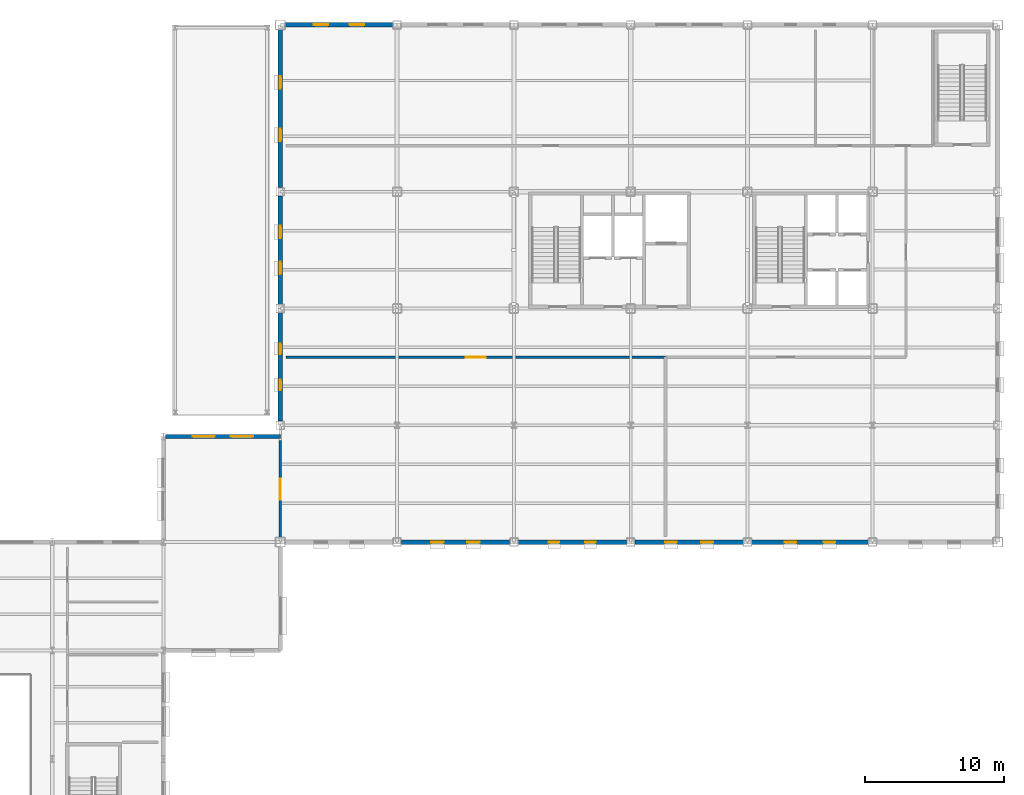
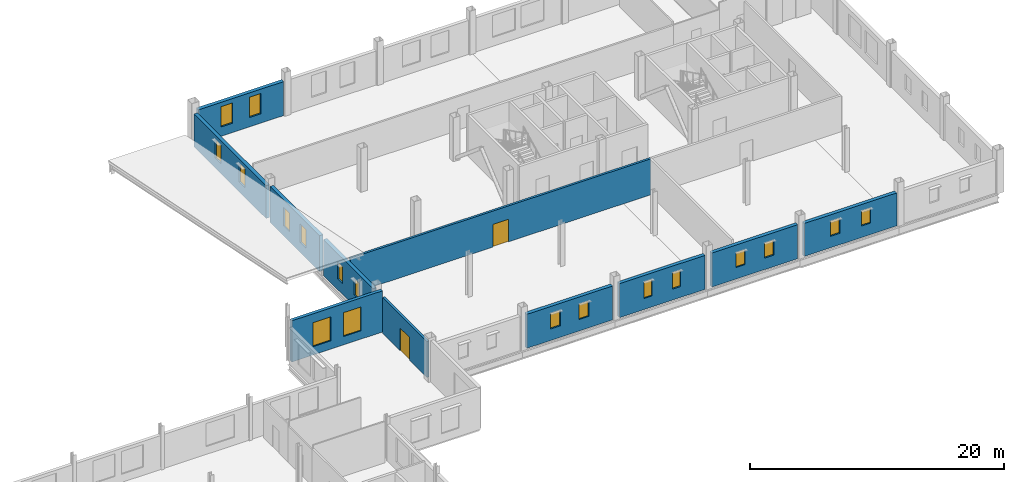
# One storey, part 64 of 75: 18 windows, 11 walls, 2 doors, 20 openings.
"""IFC4 building model written with IfcOpenShell, lengths in metres."""

from ifc_helpers import new_model, si_unit, direction, frame, frame_2d, origin, place, context, subcontext, project, spatial, rectangle, extrude, material, layer, layer_set, type_object, element, fill, save


model = new_model("IFC4")

# Units and contexts
model_context = context("Model", 3, precision=1e-05, world=origin(), true_north=direction((0.0, 1.0)))
body_context = subcontext(model_context, "Body", "Model", "MODEL_VIEW")
ifc_project = project(units=[si_unit("LENGTHUNIT", "METRE"), si_unit("AREAUNIT", "SQUARE_METRE"), si_unit("VOLUMEUNIT", "CUBIC_METRE"), si_unit("PLANEANGLEUNIT", "RADIAN"), si_unit("MASSUNIT", "GRAM", prefix="KILO")], contexts=[model_context])

# Site, building, storey
site_placement = place(None, origin())
site = spatial("IfcSite", under=ifc_project, at=site_placement, CompositionType="ELEMENT")
building_placement = place(site_placement, origin())
building = spatial("IfcBuilding", under=site, at=building_placement, Name="Yukiwa Park Conservatory and Herbarium", CompositionType="ELEMENT")
storey_placement = place(building_placement, frame((0.0, 0.0, 4.800048828125)))
storey = spatial("IfcBuildingStorey", under=building, at=storey_placement, Name="L01", CompositionType="ELEMENT", Elevation=4.800048828125)

# Wall, openings, windows
ifc_material_1 = material(Name="Pale Granite Cladding", Category="masonry")
ifc_layer_1 = layer(ifc_material_1, 0.320068359375)
ifc_layer_set_1 = layer_set([ifc_layer_1], Name="Pale Granite Cladding")
wall_type_1 = type_object("IfcWallType", Name="WL-EXT-GRAN-320", PredefinedType="SOLIDWALL", material=ifc_layer_set_1)
wall_1_placement = place(storey_placement, frame((125.10009765625, 78.0, 0.0), z_axis=(0.0, 0.0, 1.0), x_axis=(1.0, 0.0, 0.0)))
wall_1 = element("IfcWall", 1, at=wall_1_placement, inside=storey, type_object=wall_type_1, Name="L01 exterior envelope wall 160", PredefinedType="SOLIDWALL", context=body_context, shape_type="SweptSolid", body=[
    extrude(rectangle(XDim=7.7998046875, YDim=0.320068359375, at=frame_2d((3.89990234375, 0.0))), origin(), (0.0, 0.0, 1.0), 3.262939453125),
])
opening_1_placement = place(wall_1_placement, frame((2.14990234375, 0.0, 1.10009765625)))
opening_1 = element("IfcOpeningElement", 2, at=opening_1_placement, cuts=wall_1, Name="Opening W-11", PredefinedType="OPENING", context=body_context, shape_type="SweptSolid", body=[
    extrude(rectangle(XDim=0.89990234375, YDim=1.5, at=frame_2d((0.449951171875, 0.75))), frame((0.0, 0.169921875, 0.0), z_axis=(0.0, -1.0, 0.0), x_axis=(1.0, 0.0, 0.0)), (0.0, 0.0, 1.0), 0.340087890625),
])
opening_2_placement = place(wall_1_placement, frame((4.75, 0.0, 1.10009765625)))
opening_2 = element("IfcOpeningElement", 3, at=opening_2_placement, cuts=wall_1, Name="Opening W-11", PredefinedType="OPENING", context=body_context, shape_type="SweptSolid", body=[
    extrude(rectangle(XDim=0.89990234375, YDim=1.5, at=frame_2d((0.449951171875, 0.75))), frame((0.0, 0.169921875, 0.0), z_axis=(0.0, -1.0, 0.0), x_axis=(1.0, 0.0, 0.0)), (0.0, 0.0, 1.0), 0.340087890625),
])
ifc_material_2 = material(Name="Triple Low-E Insulated Glass", Category="glass")
window_type_1 = type_object("IfcWindowType", Name="WN-HB-0900X1500", PartitioningType="SINGLE_PANEL", PredefinedType="WINDOW", material=ifc_material_2)
window_1_placement = place(opening_1_placement, origin())
window_1 = element("IfcWindow", 4, at=window_1_placement, inside=storey, type_object=window_type_1, Name="L01 deep-reveal triple-glazed window 58", OverallHeight=1.5, OverallWidth=0.89990234375, PartitioningType="SINGLE_PANEL", PredefinedType="WINDOW", context=body_context, shape_type="SweptSolid", body=[
    extrude(rectangle(XDim=0.89990234375, YDim=1.5, at=frame_2d((0.449951171875, 0.75))), frame((0.0, 0.030029296875, 0.0), z_axis=(0.0, -1.0, 0.0), x_axis=(1.0, 0.0, 0.0)), (0.0, 0.0, 1.0), 0.06005859375),
])
fill(opening_1, window_1)
window_2_placement = place(opening_2_placement, origin())
window_2 = element("IfcWindow", 5, at=window_2_placement, inside=storey, type_object=window_type_1, Name="L01 deep-reveal triple-glazed window 59", OverallHeight=1.5, OverallWidth=0.89990234375, PartitioningType="SINGLE_PANEL", PredefinedType="WINDOW", context=body_context, shape_type="SweptSolid", body=[
    extrude(rectangle(XDim=0.89990234375, YDim=1.5, at=frame_2d((0.449951171875, 0.75))), frame((0.0, 0.030029296875, 0.0), z_axis=(0.0, -1.0, 0.0), x_axis=(1.0, 0.0, 0.0)), (0.0, 0.0, 1.0), 0.06005859375),
])
fill(opening_2, window_2)

wall_2_placement = place(storey_placement, frame((133.5, 78.0, 0.0), z_axis=(0.0, 0.0, 1.0), x_axis=(1.0, 0.0, 0.0)))
wall_2 = element("IfcWall", 6, at=wall_2_placement, inside=storey, type_object=wall_type_1, Name="L01 exterior envelope wall 161", PredefinedType="SOLIDWALL", context=body_context, shape_type="SweptSolid", body=[
    extrude(rectangle(XDim=7.800048828125, YDim=0.320068359375, at=frame_2d((3.89990234375, 0.0))), origin(), (0.0, 0.0, 1.0), 3.262939453125),
])
opening_3_placement = place(wall_2_placement, frame((2.22509765625, 0.0, 1.050048828125)))
opening_3 = element("IfcOpeningElement", 7, at=opening_3_placement, cuts=wall_2, Name="Opening W-10", PredefinedType="OPENING", context=body_context, shape_type="SweptSolid", body=[
    extrude(rectangle(XDim=0.75, YDim=1.60009765625, at=frame_2d((0.375, 0.800048828125))), frame((0.0, 0.169921875, 0.0), z_axis=(0.0, -1.0, 0.0), x_axis=(1.0, 0.0, 0.0)), (0.0, 0.0, 1.0), 0.340087890625),
])
opening_4_placement = place(wall_2_placement, frame((4.824951171875, 0.0, 1.050048828125)))
opening_4 = element("IfcOpeningElement", 8, at=opening_4_placement, cuts=wall_2, Name="Opening W-10", PredefinedType="OPENING", context=body_context, shape_type="SweptSolid", body=[
    extrude(rectangle(XDim=0.75, YDim=1.60009765625, at=frame_2d((0.375, 0.800048828125))), frame((0.0, 0.169921875, 0.0), z_axis=(0.0, -1.0, 0.0), x_axis=(1.0, 0.0, 0.0)), (0.0, 0.0, 1.0), 0.340087890625),
])
ifc_material_3 = material(Name="Triple Low-E Insulated Glass", Category="glass")
window_type_2 = type_object("IfcWindowType", Name="WN-HB-0750X1600", PartitioningType="SINGLE_PANEL", PredefinedType="WINDOW", material=ifc_material_3)
window_3_placement = place(opening_3_placement, origin())
window_3 = element("IfcWindow", 9, at=window_3_placement, inside=storey, type_object=window_type_2, Name="L01 deep-reveal triple-glazed window 60", OverallHeight=1.60009765625, OverallWidth=0.75, PartitioningType="SINGLE_PANEL", PredefinedType="WINDOW", context=body_context, shape_type="SweptSolid", body=[
    extrude(rectangle(XDim=0.75, YDim=1.60009765625, at=frame_2d((0.375, 0.800048828125))), frame((0.0, 0.030029296875, 0.0), z_axis=(0.0, -1.0, 0.0), x_axis=(1.0, 0.0, 0.0)), (0.0, 0.0, 1.0), 0.06005859375),
])
fill(opening_3, window_3)
window_4_placement = place(opening_4_placement, origin())
window_4 = element("IfcWindow", 10, at=window_4_placement, inside=storey, type_object=window_type_2, Name="L01 deep-reveal triple-glazed window 61", OverallHeight=1.60009765625, OverallWidth=0.75, PartitioningType="SINGLE_PANEL", PredefinedType="WINDOW", context=body_context, shape_type="SweptSolid", body=[
    extrude(rectangle(XDim=0.75, YDim=1.60009765625, at=frame_2d((0.375, 0.800048828125))), frame((0.0, 0.030029296875, 0.0), z_axis=(0.0, -1.0, 0.0), x_axis=(1.0, 0.0, 0.0)), (0.0, 0.0, 1.0), 0.06005859375),
])
fill(opening_4, window_4)

wall_3_placement = place(storey_placement, frame((141.89990234375, 78.0, 0.0), z_axis=(0.0, 0.0, 1.0), x_axis=(1.0, 0.0, 0.0)))
wall_3 = element("IfcWall", 11, at=wall_3_placement, inside=storey, type_object=wall_type_1, Name="L01 exterior envelope wall 162", PredefinedType="SOLIDWALL", context=body_context, shape_type="SweptSolid", body=[
    extrude(rectangle(XDim=7.800048828125, YDim=0.320068359375, at=frame_2d((3.89990234375, 0.0))), origin(), (0.0, 0.0, 1.0), 3.262939453125),
])
opening_5_placement = place(wall_3_placement, frame((2.175048828125, 0.0, 1.10009765625)))
opening_5 = element("IfcOpeningElement", 12, at=opening_5_placement, cuts=wall_3, Name="Opening W-27", PredefinedType="OPENING", context=body_context, shape_type="SweptSolid", body=[
    extrude(rectangle(XDim=0.85009765625, YDim=1.449951171875, at=frame_2d((0.425048828125, 0.72509765625))), frame((0.0, 0.169921875, 0.0), z_axis=(0.0, -1.0, 0.0), x_axis=(1.0, 0.0, 0.0)), (0.0, 0.0, 1.0), 0.340087890625),
])
opening_6_placement = place(wall_3_placement, frame((4.77490234375, 0.0, 1.10009765625)))
opening_6 = element("IfcOpeningElement", 13, at=opening_6_placement, cuts=wall_3, Name="Opening W-27", PredefinedType="OPENING", context=body_context, shape_type="SweptSolid", body=[
    extrude(rectangle(XDim=0.85009765625, YDim=1.449951171875, at=frame_2d((0.425048828125, 0.72509765625))), frame((0.0, 0.169921875, 0.0), z_axis=(0.0, -1.0, 0.0), x_axis=(1.0, 0.0, 0.0)), (0.0, 0.0, 1.0), 0.340087890625),
])
ifc_material_4 = material(Name="Triple Low-E Insulated Glass", Category="glass")
window_type_3 = type_object("IfcWindowType", Name="WN-HB-0850X1450", PartitioningType="SINGLE_PANEL", PredefinedType="WINDOW", material=ifc_material_4)
window_5_placement = place(opening_5_placement, origin())
window_5 = element("IfcWindow", 14, at=window_5_placement, inside=storey, type_object=window_type_3, Name="L01 deep-reveal triple-glazed window 62", OverallHeight=1.449951171875, OverallWidth=0.85009765625, PartitioningType="SINGLE_PANEL", PredefinedType="WINDOW", context=body_context, shape_type="SweptSolid", body=[
    extrude(rectangle(XDim=0.85009765625, YDim=1.449951171875, at=frame_2d((0.425048828125, 0.72509765625))), frame((0.0, 0.030029296875, 0.0), z_axis=(0.0, -1.0, 0.0), x_axis=(1.0, 0.0, 0.0)), (0.0, 0.0, 1.0), 0.06005859375),
])
fill(opening_5, window_5)
window_6_placement = place(opening_6_placement, origin())
window_6 = element("IfcWindow", 15, at=window_6_placement, inside=storey, type_object=window_type_3, Name="L01 deep-reveal triple-glazed window 63", OverallHeight=1.449951171875, OverallWidth=0.85009765625, PartitioningType="SINGLE_PANEL", PredefinedType="WINDOW", context=body_context, shape_type="SweptSolid", body=[
    extrude(rectangle(XDim=0.85009765625, YDim=1.449951171875, at=frame_2d((0.425048828125, 0.72509765625))), frame((0.0, 0.030029296875, 0.0), z_axis=(0.0, -1.0, 0.0), x_axis=(1.0, 0.0, 0.0)), (0.0, 0.0, 1.0), 0.06005859375),
])
fill(opening_6, window_6)

wall_4_placement = place(storey_placement, frame((150.300048828125, 78.0, 0.0), z_axis=(0.0, 0.0, 1.0), x_axis=(1.0, 0.0, 0.0)))
wall_4 = element("IfcWall", 16, at=wall_4_placement, inside=storey, type_object=wall_type_1, Name="L01 exterior envelope wall 163", PredefinedType="SOLIDWALL", context=body_context, shape_type="SweptSolid", body=[
    extrude(rectangle(XDim=8.39990234375, YDim=0.320068359375, at=frame_2d((4.199951171875, 0.0))), origin(), (0.0, 0.0, 1.0), 3.162841796875),
])
opening_7_placement = place(wall_4_placement, frame((2.375, 0.0, 1.10009765625)))
opening_7 = element("IfcOpeningElement", 17, at=opening_7_placement, cuts=wall_4, Name="Opening W-27", PredefinedType="OPENING", context=body_context, shape_type="SweptSolid", body=[
    extrude(rectangle(XDim=0.85009765625, YDim=1.449951171875, at=frame_2d((0.425048828125, 0.72509765625))), frame((0.0, 0.169921875, 0.0), z_axis=(0.0, -1.0, 0.0), x_axis=(1.0, 0.0, 0.0)), (0.0, 0.0, 1.0), 0.340087890625),
])
opening_8_placement = place(wall_4_placement, frame((5.175048828125, 0.0, 1.10009765625)))
opening_8 = element("IfcOpeningElement", 18, at=opening_8_placement, cuts=wall_4, Name="Opening W-27", PredefinedType="OPENING", context=body_context, shape_type="SweptSolid", body=[
    extrude(rectangle(XDim=0.85009765625, YDim=1.449951171875, at=frame_2d((0.425048828125, 0.72509765625))), frame((0.0, 0.169921875, 0.0), z_axis=(0.0, -1.0, 0.0), x_axis=(1.0, 0.0, 0.0)), (0.0, 0.0, 1.0), 0.340087890625),
])
window_7_placement = place(opening_7_placement, origin())
window_7 = element("IfcWindow", 19, at=window_7_placement, inside=storey, type_object=window_type_3, Name="L01 deep-reveal triple-glazed window 64", OverallHeight=1.449951171875, OverallWidth=0.85009765625, PartitioningType="SINGLE_PANEL", PredefinedType="WINDOW", context=body_context, shape_type="SweptSolid", body=[
    extrude(rectangle(XDim=0.85009765625, YDim=1.449951171875, at=frame_2d((0.425048828125, 0.72509765625))), frame((0.0, 0.030029296875, 0.0), z_axis=(0.0, -1.0, 0.0), x_axis=(1.0, 0.0, 0.0)), (0.0, 0.0, 1.0), 0.06005859375),
])
fill(opening_7, window_7)
window_8_placement = place(opening_8_placement, origin())
window_8 = element("IfcWindow", 20, at=window_8_placement, inside=storey, type_object=window_type_3, Name="L01 deep-reveal triple-glazed window 65", OverallHeight=1.449951171875, OverallWidth=0.85009765625, PartitioningType="SINGLE_PANEL", PredefinedType="WINDOW", context=body_context, shape_type="SweptSolid", body=[
    extrude(rectangle(XDim=0.85009765625, YDim=1.449951171875, at=frame_2d((0.425048828125, 0.72509765625))), frame((0.0, 0.030029296875, 0.0), z_axis=(0.0, -1.0, 0.0), x_axis=(1.0, 0.0, 0.0)), (0.0, 0.0, 1.0), 0.06005859375),
])
fill(opening_8, window_8)

wall_5_placement = place(storey_placement, frame((124.5, 115.199951171875, 0.0), z_axis=(0.0, 0.0, 1.0), x_axis=(-1.0, 0.0, 0.0)))
wall_5 = element("IfcWall", 21, at=wall_5_placement, inside=storey, type_object=wall_type_1, Name="L01 exterior envelope wall 174", PredefinedType="SOLIDWALL", context=body_context, shape_type="SweptSolid", body=[
    extrude(rectangle(XDim=7.75, YDim=0.320068359375, at=frame_2d((3.875, 0.0))), origin(), (0.0, 0.0, 1.0), 3.262939453125),
])
opening_9_placement = place(wall_5_placement, frame((2.05810546875, 0.0, 0.89990234375)))
opening_9 = element("IfcOpeningElement", 22, at=opening_9_placement, cuts=wall_5, Name="Opening W-02", PredefinedType="OPENING", context=body_context, shape_type="SweptSolid", body=[
    extrude(rectangle(XDim=1.050048828125, YDim=1.949951171875, at=frame_2d((0.52490234375, 0.97509765625))), frame((0.0, 0.169921875, 0.0), z_axis=(0.0, -1.0, 0.0), x_axis=(1.0, 0.0, 0.0)), (0.0, 0.0, 1.0), 0.340087890625),
])
opening_10_placement = place(wall_5_placement, frame((4.64208984375, 0.0, 0.89990234375)))
opening_10 = element("IfcOpeningElement", 23, at=opening_10_placement, cuts=wall_5, Name="Opening W-02", PredefinedType="OPENING", context=body_context, shape_type="SweptSolid", body=[
    extrude(rectangle(XDim=1.050048828125, YDim=1.949951171875, at=frame_2d((0.52490234375, 0.97509765625))), frame((0.0, 0.169921875, 0.0), z_axis=(0.0, -1.0, 0.0), x_axis=(1.0, 0.0, 0.0)), (0.0, 0.0, 1.0), 0.340087890625),
])
ifc_material_5 = material(Name="Triple Low-E Insulated Glass", Category="glass")
window_type_4 = type_object("IfcWindowType", Name="WN-TW-1050X1950", PartitioningType="SINGLE_PANEL", PredefinedType="WINDOW", material=ifc_material_5)
window_9_placement = place(opening_9_placement, origin())
window_9 = element("IfcWindow", 24, at=window_9_placement, inside=storey, type_object=window_type_4, Name="L01 deep-reveal triple-glazed window 82", OverallHeight=1.949951171875, OverallWidth=1.050048828125, PartitioningType="SINGLE_PANEL", PredefinedType="WINDOW", context=body_context, shape_type="SweptSolid", body=[
    extrude(rectangle(XDim=1.050048828125, YDim=1.949951171875, at=frame_2d((0.52490234375, 0.97509765625))), frame((0.0, 0.030029296875, 0.0), z_axis=(0.0, -1.0, 0.0), x_axis=(1.0, 0.0, 0.0)), (0.0, 0.0, 1.0), 0.06005859375),
])
fill(opening_9, window_9)
window_10_placement = place(opening_10_placement, origin())
window_10 = element("IfcWindow", 25, at=window_10_placement, inside=storey, type_object=window_type_4, Name="L01 deep-reveal triple-glazed window 83", OverallHeight=1.949951171875, OverallWidth=1.050048828125, PartitioningType="SINGLE_PANEL", PredefinedType="WINDOW", context=body_context, shape_type="SweptSolid", body=[
    extrude(rectangle(XDim=1.050048828125, YDim=1.949951171875, at=frame_2d((0.52490234375, 0.97509765625))), frame((0.0, 0.030029296875, 0.0), z_axis=(0.0, -1.0, 0.0), x_axis=(1.0, 0.0, 0.0)), (0.0, 0.0, 1.0), 0.06005859375),
])
fill(opening_10, window_10)

wall_6_placement = place(storey_placement, frame((116.39990234375, 114.85009765625, 0.0), z_axis=(0.0, 0.0, 1.0), x_axis=(0.0, -1.0, 0.0)))
wall_6 = element("IfcWall", 26, at=wall_6_placement, inside=storey, type_object=wall_type_1, Name="L01 exterior envelope wall 175", PredefinedType="SOLIDWALL", context=body_context, shape_type="SweptSolid", body=[
    extrude(rectangle(XDim=11.35009765625, YDim=0.320068359375, at=frame_2d((5.675048828125, 0.0))), origin(), (0.0, 0.0, 1.0), 3.162841796875),
])
opening_11_placement = place(wall_6_placement, frame((3.3330078125, 0.0, 0.949951171875)))
opening_11 = element("IfcOpeningElement", 27, at=opening_11_placement, cuts=wall_6, Name="Opening W-01", PredefinedType="OPENING", context=body_context, shape_type="SweptSolid", body=[
    extrude(rectangle(XDim=0.89990234375, YDim=1.800048828125, at=frame_2d((0.449951171875, 0.89990234375))), frame((0.0, 0.169921875, 0.0), z_axis=(0.0, -1.0, 0.0), x_axis=(1.0, 0.0, 0.0)), (0.0, 0.0, 1.0), 0.340087890625),
])
opening_12_placement = place(wall_6_placement, frame((7.116943359375, 0.0, 0.949951171875)))
opening_12 = element("IfcOpeningElement", 28, at=opening_12_placement, cuts=wall_6, Name="Opening W-01", PredefinedType="OPENING", context=body_context, shape_type="SweptSolid", body=[
    extrude(rectangle(XDim=0.89990234375, YDim=1.800048828125, at=frame_2d((0.449951171875, 0.89990234375))), frame((0.0, 0.169921875, 0.0), z_axis=(0.0, -1.0, 0.0), x_axis=(1.0, 0.0, 0.0)), (0.0, 0.0, 1.0), 0.340087890625),
])
ifc_material_6 = material(Name="Triple Low-E Insulated Glass", Category="glass")
window_type_5 = type_object("IfcWindowType", Name="WN-TW-0900X1800", PartitioningType="SINGLE_PANEL", PredefinedType="WINDOW", material=ifc_material_6)
window_11_placement = place(opening_11_placement, origin())
window_11 = element("IfcWindow", 29, at=window_11_placement, inside=storey, type_object=window_type_5, Name="L01 deep-reveal triple-glazed window 84", OverallHeight=1.800048828125, OverallWidth=0.89990234375, PartitioningType="SINGLE_PANEL", PredefinedType="WINDOW", context=body_context, shape_type="SweptSolid", body=[
    extrude(rectangle(XDim=0.89990234375, YDim=1.800048828125, at=frame_2d((0.449951171875, 0.89990234375))), frame((0.0, 0.030029296875, 0.0), z_axis=(0.0, -1.0, 0.0), x_axis=(1.0, 0.0, 0.0)), (0.0, 0.0, 1.0), 0.06005859375),
])
fill(opening_11, window_11)
window_12_placement = place(opening_12_placement, origin())
window_12 = element("IfcWindow", 30, at=window_12_placement, inside=storey, type_object=window_type_5, Name="L01 deep-reveal triple-glazed window 85", OverallHeight=1.800048828125, OverallWidth=0.89990234375, PartitioningType="SINGLE_PANEL", PredefinedType="WINDOW", context=body_context, shape_type="SweptSolid", body=[
    extrude(rectangle(XDim=0.89990234375, YDim=1.800048828125, at=frame_2d((0.449951171875, 0.89990234375))), frame((0.0, 0.030029296875, 0.0), z_axis=(0.0, -1.0, 0.0), x_axis=(1.0, 0.0, 0.0)), (0.0, 0.0, 1.0), 0.06005859375),
])
fill(opening_12, window_12)

wall_7_placement = place(storey_placement, frame((116.39990234375, 102.89990234375, 0.0), z_axis=(0.0, 0.0, 1.0), x_axis=(0.0, -1.0, 0.0)))
wall_7 = element("IfcWall", 31, at=wall_7_placement, inside=storey, type_object=wall_type_1, Name="L01 exterior envelope wall 176", PredefinedType="SOLIDWALL", context=body_context, shape_type="SweptSolid", body=[
    extrude(rectangle(XDim=7.7998046875, YDim=0.320068359375, at=frame_2d((3.89990234375, 0.0))), origin(), (0.0, 0.0, 1.0), 3.454833984375),
])
opening_13_placement = place(wall_7_placement, frame((2.14990234375, 0.0, 0.949951171875)))
opening_13 = element("IfcOpeningElement", 32, at=opening_13_placement, cuts=wall_7, Name="Opening W-01", PredefinedType="OPENING", context=body_context, shape_type="SweptSolid", body=[
    extrude(rectangle(XDim=0.89990234375, YDim=1.800048828125, at=frame_2d((0.449951171875, 0.89990234375))), frame((0.0, 0.169921875, 0.0), z_axis=(0.0, -1.0, 0.0), x_axis=(1.0, 0.0, 0.0)), (0.0, 0.0, 1.0), 0.340087890625),
])
opening_14_placement = place(wall_7_placement, frame((4.75, 0.0, 0.949951171875)))
opening_14 = element("IfcOpeningElement", 33, at=opening_14_placement, cuts=wall_7, Name="Opening W-01", PredefinedType="OPENING", context=body_context, shape_type="SweptSolid", body=[
    extrude(rectangle(XDim=0.89990234375, YDim=1.800048828125, at=frame_2d((0.449951171875, 0.89990234375))), frame((0.0, 0.169921875, 0.0), z_axis=(0.0, -1.0, 0.0), x_axis=(1.0, 0.0, 0.0)), (0.0, 0.0, 1.0), 0.340087890625),
])
window_13_placement = place(opening_13_placement, origin())
window_13 = element("IfcWindow", 34, at=window_13_placement, inside=storey, type_object=window_type_5, Name="L01 deep-reveal triple-glazed window 86", OverallHeight=1.800048828125, OverallWidth=0.89990234375, PartitioningType="SINGLE_PANEL", PredefinedType="WINDOW", context=body_context, shape_type="SweptSolid", body=[
    extrude(rectangle(XDim=0.89990234375, YDim=1.800048828125, at=frame_2d((0.449951171875, 0.89990234375))), frame((0.0, 0.030029296875, 0.0), z_axis=(0.0, -1.0, 0.0), x_axis=(1.0, 0.0, 0.0)), (0.0, 0.0, 1.0), 0.06005859375),
])
fill(opening_13, window_13)
window_14_placement = place(opening_14_placement, origin())
window_14 = element("IfcWindow", 35, at=window_14_placement, inside=storey, type_object=window_type_5, Name="L01 deep-reveal triple-glazed window 87", OverallHeight=1.800048828125, OverallWidth=0.89990234375, PartitioningType="SINGLE_PANEL", PredefinedType="WINDOW", context=body_context, shape_type="SweptSolid", body=[
    extrude(rectangle(XDim=0.89990234375, YDim=1.800048828125, at=frame_2d((0.449951171875, 0.89990234375))), frame((0.0, 0.030029296875, 0.0), z_axis=(0.0, -1.0, 0.0), x_axis=(1.0, 0.0, 0.0)), (0.0, 0.0, 1.0), 0.06005859375),
])
fill(opening_14, window_14)

wall_8_placement = place(storey_placement, frame((116.39990234375, 94.5, 0.0), z_axis=(0.0, 0.0, 1.0), x_axis=(0.0, -1.0, 0.0)))
wall_8 = element("IfcWall", 36, at=wall_8_placement, inside=storey, type_object=wall_type_1, Name="L01 exterior envelope wall 177", PredefinedType="SOLIDWALL", context=body_context, shape_type="SweptSolid", body=[
    extrude(rectangle(XDim=7.800048828125, YDim=0.320068359375, at=frame_2d((3.89990234375, 0.0))), origin(), (0.0, 0.0, 1.0), 3.454833984375),
])
opening_15_placement = place(wall_8_placement, frame((2.22509765625, 0.0, 1.050048828125)))
opening_15 = element("IfcOpeningElement", 37, at=opening_15_placement, cuts=wall_8, Name="Opening W-10", PredefinedType="OPENING", context=body_context, shape_type="SweptSolid", body=[
    extrude(rectangle(XDim=0.75, YDim=1.60009765625, at=frame_2d((0.375, 0.800048828125))), frame((0.0, 0.169921875, 0.0), z_axis=(0.0, -1.0, 0.0), x_axis=(1.0, 0.0, 0.0)), (0.0, 0.0, 1.0), 0.340087890625),
])
opening_16_placement = place(wall_8_placement, frame((4.824951171875, 0.0, 1.050048828125)))
opening_16 = element("IfcOpeningElement", 38, at=opening_16_placement, cuts=wall_8, Name="Opening W-10", PredefinedType="OPENING", context=body_context, shape_type="SweptSolid", body=[
    extrude(rectangle(XDim=0.75, YDim=1.60009765625, at=frame_2d((0.375, 0.800048828125))), frame((0.0, 0.169921875, 0.0), z_axis=(0.0, -1.0, 0.0), x_axis=(1.0, 0.0, 0.0)), (0.0, 0.0, 1.0), 0.340087890625),
])
window_15_placement = place(opening_15_placement, origin())
window_15 = element("IfcWindow", 39, at=window_15_placement, inside=storey, type_object=window_type_2, Name="L01 deep-reveal triple-glazed window 88", OverallHeight=1.60009765625, OverallWidth=0.75, PartitioningType="SINGLE_PANEL", PredefinedType="WINDOW", context=body_context, shape_type="SweptSolid", body=[
    extrude(rectangle(XDim=0.75, YDim=1.60009765625, at=frame_2d((0.375, 0.800048828125))), frame((0.0, 0.030029296875, 0.0), z_axis=(0.0, -1.0, 0.0), x_axis=(1.0, 0.0, 0.0)), (0.0, 0.0, 1.0), 0.06005859375),
])
fill(opening_15, window_15)
window_16_placement = place(opening_16_placement, origin())
window_16 = element("IfcWindow", 40, at=window_16_placement, inside=storey, type_object=window_type_2, Name="L01 deep-reveal triple-glazed window 89", OverallHeight=1.60009765625, OverallWidth=0.75, PartitioningType="SINGLE_PANEL", PredefinedType="WINDOW", context=body_context, shape_type="SweptSolid", body=[
    extrude(rectangle(XDim=0.75, YDim=1.60009765625, at=frame_2d((0.375, 0.800048828125))), frame((0.0, 0.030029296875, 0.0), z_axis=(0.0, -1.0, 0.0), x_axis=(1.0, 0.0, 0.0)), (0.0, 0.0, 1.0), 0.06005859375),
])
fill(opening_16, window_16)

ifc_material_7 = material(Name="Charred Larch Cladding", Category="wood")
ifc_layer_2 = layer(ifc_material_7, 0.2900390625)
ifc_layer_set_2 = layer_set([ifc_layer_2], Name="Charred Larch Cladding")
wall_type_2 = type_object("IfcWallType", Name="WL-EXT-LARCH-290", PredefinedType="SOLIDWALL", material=ifc_layer_set_2)
wall_9_placement = place(storey_placement, frame((116.39990234375, 85.60009765625, 0.0), z_axis=(0.0, 0.0, 1.0), x_axis=(-1.0, 0.0, 0.0)))
wall_9 = element("IfcWall", 41, at=wall_9_placement, inside=storey, type_object=wall_type_2, Name="L01 exterior envelope wall 178", PredefinedType="SOLIDWALL", context=body_context, shape_type="SweptSolid", body=[
    extrude(rectangle(XDim=8.25, YDim=0.2900390625, at=frame_2d((4.125, 0.0))), origin(), (0.0, 0.0, 1.0), 3.954833984375),
])
opening_17_placement = place(wall_9_placement, frame((1.949951171875, 0.0, 0.800048828125)))
opening_17 = element("IfcOpeningElement", 42, at=opening_17_placement, cuts=wall_9, Name="Opening W-28", PredefinedType="OPENING", context=body_context, shape_type="SweptSolid", body=[
    extrude(rectangle(XDim=1.60009765625, YDim=2.300048828125, at=frame_2d((0.800048828125, 1.14990234375))), frame((0.0, 0.155029296875, 0.0), z_axis=(0.0, -1.0, 0.0), x_axis=(1.0, 0.0, 0.0)), (0.0, 0.0, 1.0), 0.31005859375),
])
opening_18_placement = place(wall_9_placement, frame((4.699951171875, 0.0, 0.800048828125)))
opening_18 = element("IfcOpeningElement", 43, at=opening_18_placement, cuts=wall_9, Name="Opening W-28", PredefinedType="OPENING", context=body_context, shape_type="SweptSolid", body=[
    extrude(rectangle(XDim=1.60009765625, YDim=2.300048828125, at=frame_2d((0.800048828125, 1.14990234375))), frame((0.0, 0.155029296875, 0.0), z_axis=(0.0, -1.0, 0.0), x_axis=(1.0, 0.0, 0.0)), (0.0, 0.0, 1.0), 0.31005859375),
])
ifc_material_8 = material(Name="Triple Low-E Insulated Glass", Category="glass")
window_type_6 = type_object("IfcWindowType", Name="WN-VS-1600X2300", PartitioningType="SINGLE_PANEL", PredefinedType="WINDOW", material=ifc_material_8)
window_17_placement = place(opening_17_placement, origin())
window_17 = element("IfcWindow", 44, at=window_17_placement, inside=storey, type_object=window_type_6, Name="L01 deep-reveal triple-glazed window 90", OverallHeight=2.300048828125, OverallWidth=1.60009765625, PartitioningType="SINGLE_PANEL", PredefinedType="WINDOW", context=body_context, shape_type="SweptSolid", body=[
    extrude(rectangle(XDim=1.60009765625, YDim=2.300048828125, at=frame_2d((0.800048828125, 1.14990234375))), frame((0.0, 0.030029296875, 0.0), z_axis=(0.0, -1.0, 0.0), x_axis=(1.0, 0.0, 0.0)), (0.0, 0.0, 1.0), 0.06005859375),
])
fill(opening_17, window_17)
window_18_placement = place(opening_18_placement, origin())
window_18 = element("IfcWindow", 45, at=window_18_placement, inside=storey, type_object=window_type_6, Name="L01 deep-reveal triple-glazed window 91", OverallHeight=2.300048828125, OverallWidth=1.60009765625, PartitioningType="SINGLE_PANEL", PredefinedType="WINDOW", context=body_context, shape_type="SweptSolid", body=[
    extrude(rectangle(XDim=1.60009765625, YDim=2.300048828125, at=frame_2d((0.800048828125, 1.14990234375))), frame((0.0, 0.030029296875, 0.0), z_axis=(0.0, -1.0, 0.0), x_axis=(1.0, 0.0, 0.0)), (0.0, 0.0, 1.0), 0.06005859375),
])
fill(opening_18, window_18)

# Wall, opening, door
ifc_material_9 = material(Name="Gypsum Board Partition", Category="gypsum")
ifc_layer_3 = layer(ifc_material_9, 0.199951171875)
ifc_layer_set_3 = layer_set([ifc_layer_3], Name="Gypsum Board Partition")
wall_type_3 = type_object("IfcWallType", Name="WL-PART-FIRE-200", PredefinedType="SOLIDWALL", material=ifc_layer_set_3)
wall_10_placement = place(storey_placement, frame((116.39990234375, 78.300048828125, 0.0), z_axis=(0.0, 0.0, 1.0), x_axis=(0.0, 1.0, 0.0)))
wall_10 = element("IfcWall", 46, at=wall_10_placement, inside=storey, type_object=wall_type_3, Name="L01 interior partition wall 231", PredefinedType="SOLIDWALL", context=body_context, shape_type="SweptSolid", body=[
    extrude(rectangle(XDim=7.0, YDim=0.199951171875, at=frame_2d((3.5, 0.0))), origin(), (0.0, 0.0, 1.0), 3.454833984375),
])
opening_19_placement = place(wall_10_placement, frame((2.75, 0.0, 0.0)))
opening_19 = element("IfcOpeningElement", 47, at=opening_19_placement, cuts=wall_10, Name="Opening FD-04", PredefinedType="OPENING", context=body_context, shape_type="SweptSolid", body=[
    extrude(rectangle(XDim=1.52001953125, YDim=2.179931640625, at=frame_2d((0.760009765625, 1.08984375))), frame((0.0, 0.10986328125, 0.0), z_axis=(0.0, -1.0, 0.0), x_axis=(1.0, 0.0, 0.0)), (0.0, 0.0, 1.0), 0.219970703125),
])
ifc_material_10 = material(Name="Steel Q235B", Category="steel")
door_type_1 = type_object("IfcDoorType", Name="DR-FIRE-FD90-1500", OperationType="DOUBLE_DOOR_SINGLE_SWING", PredefinedType="DOOR", material=ifc_material_10)
door_1_placement = place(opening_19_placement, origin())
door_1 = element("IfcDoor", 48, at=door_1_placement, inside=storey, type_object=door_type_1, Name="L01 Tower L01 fire compartment door", OperationType="DOUBLE_DOOR_SINGLE_SWING", OverallHeight=2.179931640625, OverallWidth=1.52001953125, PredefinedType="DOOR", context=body_context, shape_type="SweptSolid", body=[
    extrude(rectangle(XDim=1.52001953125, YDim=2.179931640625, at=frame_2d((0.760009765625, 1.08984375))), frame((0.0, 0.02490234375, 0.0), z_axis=(0.0, -1.0, 0.0), x_axis=(1.0, 0.0, 0.0)), (0.0, 0.0, 1.0), 0.050048828125),
])
fill(opening_19, door_1)

wall_11_placement = place(storey_placement, frame((116.800048828125, 91.300048828125, 0.0), z_axis=(0.0, 0.0, 1.0), x_axis=(1.0, 0.0, 0.0)))
wall_11 = element("IfcWall", 49, at=wall_11_placement, inside=storey, type_object=wall_type_3, Name="L01 interior partition wall 232", PredefinedType="SOLIDWALL", context=body_context, shape_type="SweptSolid", body=[
    extrude(rectangle(XDim=27.300048828125, YDim=0.199951171875, at=frame_2d((13.64990234375, 0.0))), origin(), (0.0, 0.0, 1.0), 3.454833984375),
])
opening_20_placement = place(wall_11_placement, frame((12.949951171875, 0.0, 0.0)))
opening_20 = element("IfcOpeningElement", 50, at=opening_20_placement, cuts=wall_11, Name="Opening FD-03", PredefinedType="OPENING", context=body_context, shape_type="SweptSolid", body=[
    extrude(rectangle(XDim=1.419921875, YDim=2.179931640625, at=frame_2d((0.7099609375, 1.08984375))), frame((0.0, 0.10986328125, 0.0), z_axis=(0.0, -1.0, 0.0), x_axis=(1.0, 0.0, 0.0)), (0.0, 0.0, 1.0), 0.219970703125),
])
ifc_material_11 = material(Name="Steel Q235B", Category="steel")
door_type_2 = type_object("IfcDoorType", Name="DR-FIRE-FD90-1400", OperationType="DOUBLE_DOOR_SINGLE_SWING", PredefinedType="DOOR", material=ifc_material_11)
door_2_placement = place(opening_20_placement, origin())
door_2 = element("IfcDoor", 51, at=door_2_placement, inside=storey, type_object=door_type_2, Name="L01 Herbarium Vault 1 fire door", OperationType="DOUBLE_DOOR_SINGLE_SWING", OverallHeight=2.179931640625, OverallWidth=1.419921875, PredefinedType="DOOR", context=body_context, shape_type="SweptSolid", body=[
    extrude(rectangle(XDim=1.419921875, YDim=2.179931640625, at=frame_2d((0.7099609375, 1.08984375))), frame((0.0, 0.02490234375, 0.0), z_axis=(0.0, -1.0, 0.0), x_axis=(1.0, 0.0, 0.0)), (0.0, 0.0, 1.0), 0.050048828125),
])
fill(opening_20, door_2)

save(model, "model.ifc")
